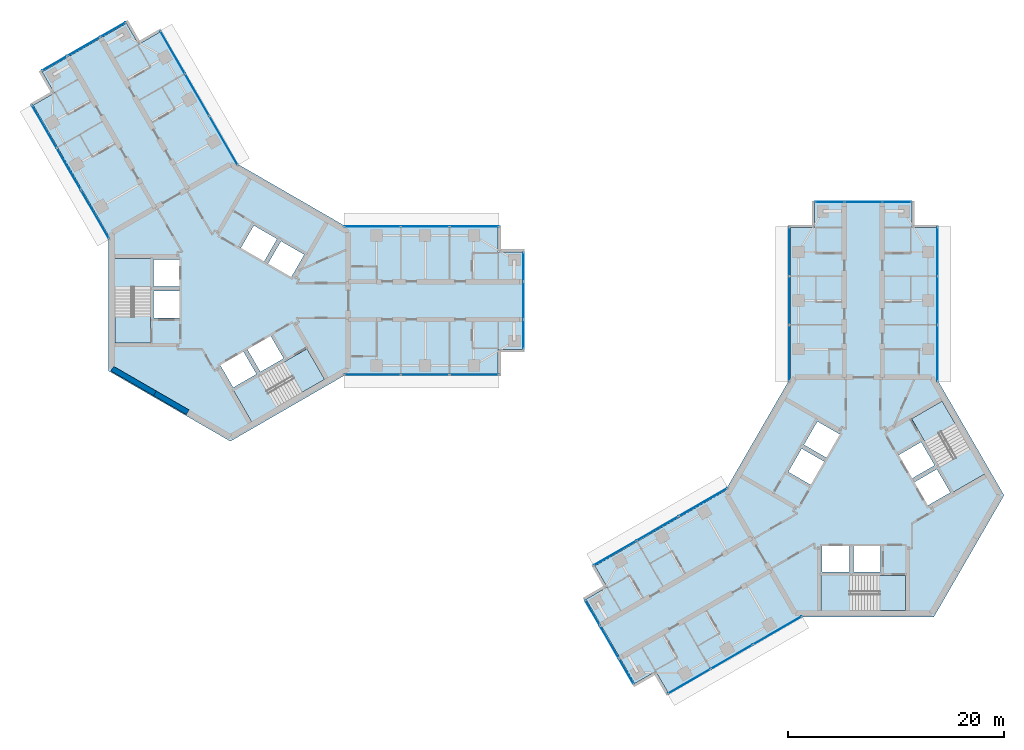
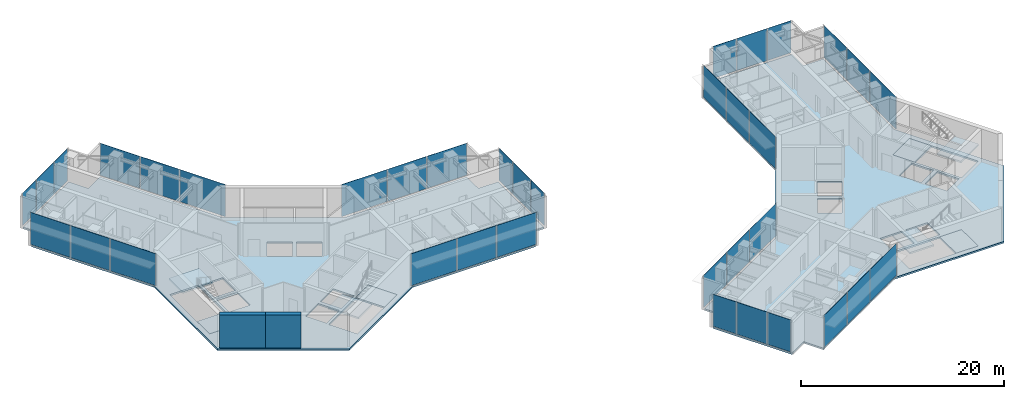
# One storey, part 10 of 18: 36 plates, 10 slabs, 2 walls, 16 elements without a shape of their own.
"""IFC4 building model written with IfcOpenShell, lengths in metres."""

from ifc_helpers import new_model, si_unit, direction, frame, frame_2d, origin, origin_2d, place, context, subcontext, project, spatial, polyline, rectangle, outline, extrude, material, layer, layer_set, type_object, element, aggregate, save


model = new_model("IFC4")

# Units and contexts
model_context = context("Model", 3, precision=1e-05, world=origin(), true_north=direction((0.0, 1.0)))
body_context = subcontext(model_context, "Body", "Model", "MODEL_VIEW")
ifc_project = project(units=[si_unit("LENGTHUNIT", "METRE"), si_unit("AREAUNIT", "SQUARE_METRE"), si_unit("VOLUMEUNIT", "CUBIC_METRE"), si_unit("PLANEANGLEUNIT", "RADIAN"), si_unit("MASSUNIT", "GRAM", prefix="KILO")], contexts=[model_context])

# Site, building, storey
site_placement = place(None, origin())
site = spatial("IfcSite", under=ifc_project, at=site_placement, CompositionType="ELEMENT")
building_placement = place(site_placement, origin())
building = spatial("IfcBuilding", under=site, at=building_placement, Name="Upepo Twin Towers", CompositionType="ELEMENT")
storey_placement = place(building_placement, frame((0.0, 0.0, 222.5)))
storey = spatial("IfcBuildingStorey", under=building, at=storey_placement, Name="L54", CompositionType="ELEMENT", Elevation=222.5)

# Curtain wall, plates
ifc_material_1 = material(Name="Aluminium and fritted glass", Category="aluminium")
curtain_wall_type = type_object("IfcCurtainWallType", Name="Tower curtain wall TW3, fritted glass", PredefinedType="NOTDEFINED", material=ifc_material_1)
curtain_wall_1_placement = place(storey_placement, origin())
curtain_wall_1 = element("IfcCurtainWall", 1, at=curtain_wall_1_placement, inside=storey, type_object=curtain_wall_type, Name="T1 L54 wing A flank L curtain wall", PredefinedType="NOTDEFINED")
ifc_material_2 = material(Name="Ceramic-fritted laminated glass", Category="glass")
ifc_layer_1 = layer(ifc_material_2, 0.031982421875)
ifc_layer_set_1 = layer_set([ifc_layer_1], Name="Fritted glass panel, 60 per cent dot frit, 32 mm double glazed")
plate_type_1 = type_object("IfcPlateType", Name="Fritted glass panel, 60 per cent dot frit, 32 mm double glazed", PredefinedType="CURTAIN_PANEL", material=ifc_layer_set_1)
plate_1_placement = place(storey_placement, frame((13.134765625, 6.85009765625, 0.14990234375), z_axis=(0.0, 0.0, 1.0), x_axis=(1.0, 0.0, 0.0)))
plate_1 = element("IfcPlate", 2, at=plate_1_placement, type_object=plate_type_1, Name="T1 L54 wing A flank L curtain wall panel 1", PredefinedType="CURTAIN_PANEL", context=body_context, shape_type="SweptSolid", body=[
    extrude(rectangle(XDim=5.165283203125, YDim=0.031982421875, at=origin_2d()), origin(), (0.0, 0.0, 1.0), 3.85009765625),
])
plate_2_placement = place(storey_placement, frame((18.0, 6.85009765625, 0.14990234375), z_axis=(0.0, 0.0, 1.0), x_axis=(1.0, 0.0, 0.0)))
plate_2 = element("IfcPlate", 3, at=plate_2_placement, type_object=plate_type_1, Name="T1 L54 wing A flank L curtain wall panel 2", PredefinedType="CURTAIN_PANEL", context=body_context, shape_type="SweptSolid", body=[
    extrude(rectangle(XDim=4.43505859375, YDim=0.031982421875, at=origin_2d()), origin(), (0.0, 0.0, 1.0), 3.85009765625),
])
plate_3_placement = place(storey_placement, frame((22.53369140625, 6.85009765625, 0.14990234375), z_axis=(0.0, 0.0, 1.0), x_axis=(1.0, 0.0, 0.0)))
plate_3 = element("IfcPlate", 4, at=plate_3_placement, type_object=plate_type_1, Name="T1 L54 wing A flank L curtain wall panel 3", PredefinedType="CURTAIN_PANEL", context=body_context, shape_type="SweptSolid", body=[
    extrude(rectangle(XDim=4.50244140625, YDim=0.031982421875, at=origin_2d()), origin(), (0.0, 0.0, 1.0), 3.85009765625),
])
aggregate(curtain_wall_1, [plate_1, plate_2, plate_3])

curtain_wall_2_placement = place(storey_placement, origin())
curtain_wall_2 = element("IfcCurtainWall", 5, at=curtain_wall_2_placement, inside=storey, type_object=curtain_wall_type, Name="T1 L54 wing A flank R curtain wall", PredefinedType="NOTDEFINED")
plate_4_placement = place(storey_placement, frame((22.53369140625, -6.85009765625, 0.14990234375), z_axis=(0.0, 0.0, 1.0), x_axis=(-1.0, 0.0, 0.0)))
plate_4 = element("IfcPlate", 6, at=plate_4_placement, type_object=plate_type_1, Name="T1 L54 wing A flank R curtain wall panel 1", PredefinedType="CURTAIN_PANEL", context=body_context, shape_type="SweptSolid", body=[
    extrude(rectangle(XDim=4.50244140625, YDim=0.031982421875, at=origin_2d()), origin(), (0.0, 0.0, 1.0), 3.85009765625),
])
plate_5_placement = place(storey_placement, frame((18.0, -6.85009765625, 0.14990234375), z_axis=(0.0, 0.0, 1.0), x_axis=(-1.0, 0.0, 0.0)))
plate_5 = element("IfcPlate", 7, at=plate_5_placement, type_object=plate_type_1, Name="T1 L54 wing A flank R curtain wall panel 2", PredefinedType="CURTAIN_PANEL", context=body_context, shape_type="SweptSolid", body=[
    extrude(rectangle(XDim=4.43505859375, YDim=0.031982421875, at=origin_2d()), origin(), (0.0, 0.0, 1.0), 3.85009765625),
])
plate_6_placement = place(storey_placement, frame((13.134765625, -6.85009765625, 0.14990234375), z_axis=(0.0, 0.0, 1.0), x_axis=(-1.0, 0.0, 0.0)))
plate_6 = element("IfcPlate", 8, at=plate_6_placement, type_object=plate_type_1, Name="T1 L54 wing A flank R curtain wall panel 3", PredefinedType="CURTAIN_PANEL", context=body_context, shape_type="SweptSolid", body=[
    extrude(rectangle(XDim=5.165283203125, YDim=0.031982421875, at=origin_2d()), origin(), (0.0, 0.0, 1.0), 3.85009765625),
])
aggregate(curtain_wall_2, [plate_4, plate_5, plate_6])

# Curtain wall, plate
curtain_wall_3_placement = place(storey_placement, origin())
curtain_wall_3 = element("IfcCurtainWall", 9, at=curtain_wall_3_placement, inside=storey, type_object=curtain_wall_type, Name="T1 L54 wing A nose curtain wall", PredefinedType="NOTDEFINED")
plate_7_placement = place(storey_placement, frame((27.10009765625, 0.0, 0.14990234375), z_axis=(0.0, 0.0, 1.0), x_axis=(0.0, 1.0, 0.0)))
plate_7 = element("IfcPlate", 10, at=plate_7_placement, type_object=plate_type_1, Name="T1 L54 wing A nose curtain wall panel 2", PredefinedType="CURTAIN_PANEL", context=body_context, shape_type="SweptSolid", body=[
    extrude(rectangle(XDim=3.43505859375, YDim=0.031982421875, at=origin_2d()), origin(), (0.0, 0.0, 1.0), 3.85009765625),
])

# Curtain wall, plates
curtain_wall_4_placement = place(storey_placement, origin())
curtain_wall_4 = element("IfcCurtainWall", 11, at=curtain_wall_4_placement, inside=storey, type_object=curtain_wall_type, Name="T1 L54 wing B flank L curtain wall", PredefinedType="NOTDEFINED")
plate_8_placement = place(storey_placement, frame((-12.499755859375, 7.9501953125, 0.14990234375), z_axis=(0.0, 0.0, 1.0), x_axis=(-0.500000026527, 0.866025388469, 0.0)))
plate_8 = element("IfcPlate", 12, at=plate_8_placement, type_object=plate_type_1, Name="T1 L54 wing B flank L curtain wall panel 1", PredefinedType="CURTAIN_PANEL", context=body_context, shape_type="SweptSolid", body=[
    extrude(rectangle(XDim=5.165283203125, YDim=0.031982421875, at=origin_2d()), origin(), (0.0, 0.0, 1.0), 3.85009765625),
])
plate_9_placement = place(storey_placement, frame((-14.932373046875, 12.16357421875, 0.14990234375), z_axis=(0.0, 0.0, 1.0), x_axis=(-0.500000026527, 0.866025388469, 0.0)))
plate_9 = element("IfcPlate", 13, at=plate_9_placement, type_object=plate_type_1, Name="T1 L54 wing B flank L curtain wall panel 2", PredefinedType="CURTAIN_PANEL", context=body_context, shape_type="SweptSolid", body=[
    extrude(rectangle(XDim=4.43505859375, YDim=0.031982421875, at=origin_2d()), origin(), (0.0, 0.0, 1.0), 3.85009765625),
])
plate_10_placement = place(storey_placement, frame((-17.19921875, 16.08984375, 0.14990234375), z_axis=(0.0, 0.0, 1.0), x_axis=(-0.500000026527, 0.866025388469, 0.0)))
plate_10 = element("IfcPlate", 14, at=plate_10_placement, type_object=plate_type_1, Name="T1 L54 wing B flank L curtain wall panel 3", PredefinedType="CURTAIN_PANEL", context=body_context, shape_type="SweptSolid", body=[
    extrude(rectangle(XDim=4.50244140625, YDim=0.031982421875, at=origin_2d()), origin(), (0.0, 0.0, 1.0), 3.85009765625),
])
aggregate(curtain_wall_4, [plate_8, plate_9, plate_10])

curtain_wall_5_placement = place(storey_placement, origin())
curtain_wall_5 = element("IfcCurtainWall", 15, at=curtain_wall_5_placement, inside=storey, type_object=curtain_wall_type, Name="T1 L54 wing B flank R curtain wall", PredefinedType="NOTDEFINED")
plate_11_placement = place(storey_placement, frame((-5.334716796875, 22.939697265625, 0.14990234375), z_axis=(0.0, 0.0, 1.0), x_axis=(0.500000026527, -0.866025388469, 0.0)))
plate_11 = element("IfcPlate", 16, at=plate_11_placement, type_object=plate_type_1, Name="T1 L54 wing B flank R curtain wall panel 1", PredefinedType="CURTAIN_PANEL", context=body_context, shape_type="SweptSolid", body=[
    extrude(rectangle(XDim=4.50244140625, YDim=0.031982421875, at=origin_2d()), origin(), (0.0, 0.0, 1.0), 3.85009765625),
])
plate_12_placement = place(storey_placement, frame((-3.067626953125, 19.013427734375, 0.14990234375), z_axis=(0.0, 0.0, 1.0), x_axis=(0.500000026527, -0.866025388469, 0.0)))
plate_12 = element("IfcPlate", 17, at=plate_12_placement, type_object=plate_type_1, Name="T1 L54 wing B flank R curtain wall panel 2", PredefinedType="CURTAIN_PANEL", context=body_context, shape_type="SweptSolid", body=[
    extrude(rectangle(XDim=4.43505859375, YDim=0.031982421875, at=origin_2d()), origin(), (0.0, 0.0, 1.0), 3.85009765625),
])
plate_13_placement = place(storey_placement, frame((-0.635009765625, 14.800048828125, 0.14990234375), z_axis=(0.0, 0.0, 1.0), x_axis=(0.500000026527, -0.866025388469, 0.0)))
plate_13 = element("IfcPlate", 18, at=plate_13_placement, type_object=plate_type_1, Name="T1 L54 wing B flank R curtain wall panel 3", PredefinedType="CURTAIN_PANEL", context=body_context, shape_type="SweptSolid", body=[
    extrude(rectangle(XDim=5.165283203125, YDim=0.031982421875, at=origin_2d()), origin(), (0.0, 0.0, 1.0), 3.85009765625),
])
aggregate(curtain_wall_5, [plate_11, plate_12, plate_13])

# Curtain wall, plate
curtain_wall_6_placement = place(storey_placement, origin())
curtain_wall_6 = element("IfcCurtainWall", 19, at=curtain_wall_6_placement, inside=storey, type_object=curtain_wall_type, Name="T1 L54 wing B nose curtain wall", PredefinedType="NOTDEFINED")
plate_14_placement = place(storey_placement, frame((-13.550048828125, 23.46923828125, 0.14990234375), z_axis=(0.0, 0.0, 1.0), x_axis=(-0.866025386174, -0.500000030502, 0.0)))
plate_14 = element("IfcPlate", 20, at=plate_14_placement, type_object=plate_type_1, Name="T1 L54 wing B nose curtain wall panel 2", PredefinedType="CURTAIN_PANEL", context=body_context, shape_type="SweptSolid", body=[
    extrude(rectangle(XDim=3.43505859375, YDim=0.031982421875, at=origin_2d()), origin(), (0.0, 0.0, 1.0), 3.85009765625),
])

# Curtain wall, plates
curtain_wall_7_placement = place(storey_placement, origin())
curtain_wall_7 = element("IfcCurtainWall", 21, at=curtain_wall_7_placement, inside=storey, type_object=curtain_wall_type, Name="T2 L54 wing A flank L curtain wall", PredefinedType="NOTDEFINED")
plate_15_placement = place(storey_placement, frame((51.64990234375, -4.865234375, 0.14990234375), z_axis=(0.0, 0.0, 1.0), x_axis=(0.0, 1.0, 0.0)))
plate_15 = element("IfcPlate", 22, at=plate_15_placement, type_object=plate_type_1, Name="T2 L54 wing A flank L curtain wall panel 1", PredefinedType="CURTAIN_PANEL", context=body_context, shape_type="SweptSolid", body=[
    extrude(rectangle(XDim=5.165283203125, YDim=0.031982421875, at=origin_2d()), origin(), (0.0, 0.0, 1.0), 3.85009765625),
])
plate_16_placement = place(storey_placement, frame((51.64990234375, 0.0, 0.14990234375), z_axis=(0.0, 0.0, 1.0), x_axis=(0.0, 1.0, 0.0)))
plate_16 = element("IfcPlate", 23, at=plate_16_placement, type_object=plate_type_1, Name="T2 L54 wing A flank L curtain wall panel 2", PredefinedType="CURTAIN_PANEL", context=body_context, shape_type="SweptSolid", body=[
    extrude(rectangle(XDim=4.43505859375, YDim=0.031982421875, at=origin_2d()), origin(), (0.0, 0.0, 1.0), 3.85009765625),
])
plate_17_placement = place(storey_placement, frame((51.64990234375, 4.53369140625, 0.14990234375), z_axis=(0.0, 0.0, 1.0), x_axis=(0.0, 1.0, 0.0)))
plate_17 = element("IfcPlate", 24, at=plate_17_placement, type_object=plate_type_1, Name="T2 L54 wing A flank L curtain wall panel 3", PredefinedType="CURTAIN_PANEL", context=body_context, shape_type="SweptSolid", body=[
    extrude(rectangle(XDim=4.50244140625, YDim=0.031982421875, at=origin_2d()), origin(), (0.0, 0.0, 1.0), 3.85009765625),
])
aggregate(curtain_wall_7, [plate_15, plate_16, plate_17])

curtain_wall_8_placement = place(storey_placement, origin())
curtain_wall_8 = element("IfcCurtainWall", 25, at=curtain_wall_8_placement, inside=storey, type_object=curtain_wall_type, Name="T2 L54 wing A flank R curtain wall", PredefinedType="NOTDEFINED")
plate_18_placement = place(storey_placement, frame((65.35009765625, 4.53369140625, 0.14990234375), z_axis=(0.0, 0.0, 1.0), x_axis=(0.0, -1.0, 0.0)))
plate_18 = element("IfcPlate", 26, at=plate_18_placement, type_object=plate_type_1, Name="T2 L54 wing A flank R curtain wall panel 1", PredefinedType="CURTAIN_PANEL", context=body_context, shape_type="SweptSolid", body=[
    extrude(rectangle(XDim=4.50244140625, YDim=0.031982421875, at=origin_2d()), origin(), (0.0, 0.0, 1.0), 3.85009765625),
])
plate_19_placement = place(storey_placement, frame((65.35009765625, 0.0, 0.14990234375), z_axis=(0.0, 0.0, 1.0), x_axis=(0.0, -1.0, 0.0)))
plate_19 = element("IfcPlate", 27, at=plate_19_placement, type_object=plate_type_1, Name="T2 L54 wing A flank R curtain wall panel 2", PredefinedType="CURTAIN_PANEL", context=body_context, shape_type="SweptSolid", body=[
    extrude(rectangle(XDim=4.43505859375, YDim=0.031982421875, at=origin_2d()), origin(), (0.0, 0.0, 1.0), 3.85009765625),
])
plate_20_placement = place(storey_placement, frame((65.35009765625, -4.865234375, 0.14990234375), z_axis=(0.0, 0.0, 1.0), x_axis=(0.0, -1.0, 0.0)))
plate_20 = element("IfcPlate", 28, at=plate_20_placement, type_object=plate_type_1, Name="T2 L54 wing A flank R curtain wall panel 3", PredefinedType="CURTAIN_PANEL", context=body_context, shape_type="SweptSolid", body=[
    extrude(rectangle(XDim=5.165283203125, YDim=0.031982421875, at=origin_2d()), origin(), (0.0, 0.0, 1.0), 3.85009765625),
])
aggregate(curtain_wall_8, [plate_18, plate_19, plate_20])

# Curtain wall, plate
curtain_wall_9_placement = place(storey_placement, origin())
curtain_wall_9 = element("IfcCurtainWall", 29, at=curtain_wall_9_placement, inside=storey, type_object=curtain_wall_type, Name="T2 L54 wing A nose curtain wall", PredefinedType="NOTDEFINED")
plate_21_placement = place(storey_placement, frame((58.5, 9.10009765625, 0.14990234375), z_axis=(0.0, 0.0, 1.0), x_axis=(-1.0, 0.0, 0.0)))
plate_21 = element("IfcPlate", 30, at=plate_21_placement, type_object=plate_type_1, Name="T2 L54 wing A nose curtain wall panel 2", PredefinedType="CURTAIN_PANEL", context=body_context, shape_type="SweptSolid", body=[
    extrude(rectangle(XDim=3.43505859375, YDim=0.031982421875, at=origin_2d()), origin(), (0.0, 0.0, 1.0), 3.85009765625),
])

# Curtain wall, plates
curtain_wall_10_placement = place(storey_placement, origin())
curtain_wall_10 = element("IfcCurtainWall", 31, at=curtain_wall_10_placement, inside=storey, type_object=curtain_wall_type, Name="T2 L54 wing B flank L curtain wall", PredefinedType="NOTDEFINED")
plate_22_placement = place(storey_placement, frame((50.5498046875, -30.499755859375, 0.14990234375), z_axis=(0.0, 0.0, 1.0), x_axis=(-0.866025388469, -0.500000026527, 0.0)))
plate_22 = element("IfcPlate", 32, at=plate_22_placement, type_object=plate_type_1, Name="T2 L54 wing B flank L curtain wall panel 1", PredefinedType="CURTAIN_PANEL", context=body_context, shape_type="SweptSolid", body=[
    extrude(rectangle(XDim=5.165283203125, YDim=0.031982421875, at=origin_2d()), origin(), (0.0, 0.0, 1.0), 3.85009765625),
])
plate_23_placement = place(storey_placement, frame((46.33642578125, -32.932373046875, 0.14990234375), z_axis=(0.0, 0.0, 1.0), x_axis=(-0.866025388469, -0.500000026527, 0.0)))
plate_23 = element("IfcPlate", 33, at=plate_23_placement, type_object=plate_type_1, Name="T2 L54 wing B flank L curtain wall panel 2", PredefinedType="CURTAIN_PANEL", context=body_context, shape_type="SweptSolid", body=[
    extrude(rectangle(XDim=4.43505859375, YDim=0.031982421875, at=origin_2d()), origin(), (0.0, 0.0, 1.0), 3.85009765625),
])
plate_24_placement = place(storey_placement, frame((42.41015625, -35.19921875, 0.14990234375), z_axis=(0.0, 0.0, 1.0), x_axis=(-0.866025388469, -0.500000026527, 0.0)))
plate_24 = element("IfcPlate", 34, at=plate_24_placement, type_object=plate_type_1, Name="T2 L54 wing B flank L curtain wall panel 3", PredefinedType="CURTAIN_PANEL", context=body_context, shape_type="SweptSolid", body=[
    extrude(rectangle(XDim=4.50244140625, YDim=0.031982421875, at=origin_2d()), origin(), (0.0, 0.0, 1.0), 3.85009765625),
])
aggregate(curtain_wall_10, [plate_22, plate_23, plate_24])

curtain_wall_11_placement = place(storey_placement, origin())
curtain_wall_11 = element("IfcCurtainWall", 35, at=curtain_wall_11_placement, inside=storey, type_object=curtain_wall_type, Name="T2 L54 wing B flank R curtain wall", PredefinedType="NOTDEFINED")
plate_25_placement = place(storey_placement, frame((35.560302734375, -23.334716796875, 0.14990234375), z_axis=(0.0, 0.0, 1.0), x_axis=(0.866025388469, 0.500000026527, 0.0)))
plate_25 = element("IfcPlate", 36, at=plate_25_placement, type_object=plate_type_1, Name="T2 L54 wing B flank R curtain wall panel 1", PredefinedType="CURTAIN_PANEL", context=body_context, shape_type="SweptSolid", body=[
    extrude(rectangle(XDim=4.50244140625, YDim=0.031982421875, at=origin_2d()), origin(), (0.0, 0.0, 1.0), 3.85009765625),
])
plate_26_placement = place(storey_placement, frame((39.486572265625, -21.067626953125, 0.14990234375), z_axis=(0.0, 0.0, 1.0), x_axis=(0.866025388469, 0.500000026527, 0.0)))
plate_26 = element("IfcPlate", 37, at=plate_26_placement, type_object=plate_type_1, Name="T2 L54 wing B flank R curtain wall panel 2", PredefinedType="CURTAIN_PANEL", context=body_context, shape_type="SweptSolid", body=[
    extrude(rectangle(XDim=4.43505859375, YDim=0.031982421875, at=origin_2d()), origin(), (0.0, 0.0, 1.0), 3.85009765625),
])
plate_27_placement = place(storey_placement, frame((43.699951171875, -18.635009765625, 0.14990234375), z_axis=(0.0, 0.0, 1.0), x_axis=(0.866025388469, 0.500000026527, 0.0)))
plate_27 = element("IfcPlate", 38, at=plate_27_placement, type_object=plate_type_1, Name="T2 L54 wing B flank R curtain wall panel 3", PredefinedType="CURTAIN_PANEL", context=body_context, shape_type="SweptSolid", body=[
    extrude(rectangle(XDim=5.165283203125, YDim=0.031982421875, at=origin_2d()), origin(), (0.0, 0.0, 1.0), 3.85009765625),
])
aggregate(curtain_wall_11, [plate_25, plate_26, plate_27])

# Curtain wall, plate
curtain_wall_12_placement = place(storey_placement, origin())
curtain_wall_12 = element("IfcCurtainWall", 39, at=curtain_wall_12_placement, inside=storey, type_object=curtain_wall_type, Name="T2 L54 wing B nose curtain wall", PredefinedType="NOTDEFINED")
plate_28_placement = place(storey_placement, frame((35.03076171875, -31.550048828125, 0.14990234375), z_axis=(0.0, 0.0, 1.0), x_axis=(0.500000030502, -0.866025386174, 0.0)))
plate_28 = element("IfcPlate", 40, at=plate_28_placement, type_object=plate_type_1, Name="T2 L54 wing B nose curtain wall panel 2", PredefinedType="CURTAIN_PANEL", context=body_context, shape_type="SweptSolid", body=[
    extrude(rectangle(XDim=3.43505859375, YDim=0.031982421875, at=origin_2d()), origin(), (0.0, 0.0, 1.0), 3.85009765625),
])

# Plate
ifc_material_3 = material(Name="Clear laminated glass in opening sash", Category="glass")
ifc_layer_2 = layer(ifc_material_3, 0.031982421875)
ifc_layer_set_2 = layer_set([ifc_layer_2], Name="Operable glass panel, 32 mm double glazed")
plate_type_2 = type_object("IfcPlateType", Name="Operable glass panel, 32 mm double glazed", PredefinedType="CURTAIN_PANEL", material=ifc_layer_set_2)
plate_29_placement = place(storey_placement, frame((27.10009765625, -3.108642578125, 0.14990234375), z_axis=(0.0, 0.0, 1.0), x_axis=(0.0, 1.0, 0.0)))
plate_29 = element("IfcPlate", 41, at=plate_29_placement, type_object=plate_type_2, Name="T1 L54 wing A nose curtain wall panel 1", PredefinedType="CURTAIN_PANEL", context=body_context, shape_type="SweptSolid", body=[
    extrude(rectangle(XDim=2.652587890625, YDim=0.031982421875, at=origin_2d()), origin(), (0.0, 0.0, 1.0), 3.85009765625),
])

plate_30_placement = place(storey_placement, frame((27.10009765625, 3.108642578125, 0.14990234375), z_axis=(0.0, 0.0, 1.0), x_axis=(0.0, 1.0, 0.0)))
plate_30 = element("IfcPlate", 42, at=plate_30_placement, type_object=plate_type_2, Name="T1 L54 wing A nose curtain wall panel 3", PredefinedType="CURTAIN_PANEL", context=body_context, shape_type="SweptSolid", body=[
    extrude(rectangle(XDim=2.652587890625, YDim=0.031982421875, at=origin_2d()), origin(), (0.0, 0.0, 1.0), 3.85009765625),
])

aggregate(curtain_wall_3, [plate_29, plate_7, plate_30])

plate_31_placement = place(storey_placement, frame((-10.857666015625, 25.023681640625, 0.14990234375), z_axis=(0.0, 0.0, 1.0), x_axis=(-0.866025386174, -0.500000030502, 0.0)))
plate_31 = element("IfcPlate", 43, at=plate_31_placement, type_object=plate_type_2, Name="T1 L54 wing B nose curtain wall panel 1", PredefinedType="CURTAIN_PANEL", context=body_context, shape_type="SweptSolid", body=[
    extrude(rectangle(XDim=2.652587890625, YDim=0.031982421875, at=origin_2d()), origin(), (0.0, 0.0, 1.0), 3.85009765625),
])

plate_32_placement = place(storey_placement, frame((-16.2421875, 21.914794921875, 0.14990234375), z_axis=(0.0, 0.0, 1.0), x_axis=(-0.866025386174, -0.500000030502, 0.0)))
plate_32 = element("IfcPlate", 44, at=plate_32_placement, type_object=plate_type_2, Name="T1 L54 wing B nose curtain wall panel 3", PredefinedType="CURTAIN_PANEL", context=body_context, shape_type="SweptSolid", body=[
    extrude(rectangle(XDim=2.652587890625, YDim=0.031982421875, at=origin_2d()), origin(), (0.0, 0.0, 1.0), 3.85009765625),
])

aggregate(curtain_wall_6, [plate_31, plate_14, plate_32])

plate_33_placement = place(storey_placement, frame((61.608642578125, 9.10009765625, 0.14990234375), z_axis=(0.0, 0.0, 1.0), x_axis=(-1.0, 0.0, 0.0)))
plate_33 = element("IfcPlate", 45, at=plate_33_placement, type_object=plate_type_2, Name="T2 L54 wing A nose curtain wall panel 1", PredefinedType="CURTAIN_PANEL", context=body_context, shape_type="SweptSolid", body=[
    extrude(rectangle(XDim=2.652587890625, YDim=0.031982421875, at=origin_2d()), origin(), (0.0, 0.0, 1.0), 3.85009765625),
])

plate_34_placement = place(storey_placement, frame((55.391357421875, 9.10009765625, 0.14990234375), z_axis=(0.0, 0.0, 1.0), x_axis=(-1.0, 0.0, 0.0)))
plate_34 = element("IfcPlate", 46, at=plate_34_placement, type_object=plate_type_2, Name="T2 L54 wing A nose curtain wall panel 3", PredefinedType="CURTAIN_PANEL", context=body_context, shape_type="SweptSolid", body=[
    extrude(rectangle(XDim=2.652587890625, YDim=0.031982421875, at=origin_2d()), origin(), (0.0, 0.0, 1.0), 3.85009765625),
])

aggregate(curtain_wall_9, [plate_33, plate_21, plate_34])

plate_35_placement = place(storey_placement, frame((33.476318359375, -28.857666015625, 0.14990234375), z_axis=(0.0, 0.0, 1.0), x_axis=(0.500000030502, -0.866025386174, 0.0)))
plate_35 = element("IfcPlate", 47, at=plate_35_placement, type_object=plate_type_2, Name="T2 L54 wing B nose curtain wall panel 1", PredefinedType="CURTAIN_PANEL", context=body_context, shape_type="SweptSolid", body=[
    extrude(rectangle(XDim=2.652587890625, YDim=0.031982421875, at=origin_2d()), origin(), (0.0, 0.0, 1.0), 3.85009765625),
])

plate_36_placement = place(storey_placement, frame((36.585205078125, -34.2421875, 0.14990234375), z_axis=(0.0, 0.0, 1.0), x_axis=(0.500000030502, -0.866025386174, 0.0)))
plate_36 = element("IfcPlate", 48, at=plate_36_placement, type_object=plate_type_2, Name="T2 L54 wing B nose curtain wall panel 3", PredefinedType="CURTAIN_PANEL", context=body_context, shape_type="SweptSolid", body=[
    extrude(rectangle(XDim=2.652587890625, YDim=0.031982421875, at=origin_2d()), origin(), (0.0, 0.0, 1.0), 3.85009765625),
])

aggregate(curtain_wall_12, [plate_35, plate_28, plate_36])

# Stair, slabs
ifc_material_4 = material(Name="Concrete C40/50", Category="concrete")
stair_type = type_object("IfcStairType", Name="Core stair, two flights", PredefinedType="HALF_TURN_STAIR", material=ifc_material_4)
stair_1_placement = place(storey_placement, origin())
stair_1 = element("IfcStair", 49, at=stair_1_placement, inside=storey, type_object=stair_type, Name="T1 stair S1 L54", PredefinedType="HALF_TURN_STAIR")
ifc_material_5 = material(Name="Concrete C40/50", Category="concrete")
ifc_layer_3 = layer(ifc_material_5, 0.199951171875)
ifc_layer_set_3 = layer_set([ifc_layer_3], Name="Concrete C40/50")
slab_type_1 = type_object("IfcSlabType", Name="Stair landing 200 RC", PredefinedType="LANDING", material=ifc_layer_set_3)
slab_1_placement = place(storey_placement, frame((0.0, 0.0, -0.199951171875)))
slab_1 = element("IfcSlab", 50, at=slab_1_placement, type_object=slab_type_1, Name="Stair S1 landing 1", PredefinedType="LANDING", context=body_context, shape_type="SweptSolid", body=[
    extrude(outline(polyline([(-7.39990234375, -1.419921875), (-10.658447265625, -1.419921875), (-10.658447265625, -3.89990234375), (-7.39990234375, -3.89990234375), (-7.39990234375, -1.419921875)])), origin(), (0.0, 0.0, 1.0), 0.199951171875),
])
slab_2_placement = place(storey_placement, frame((0.0, 0.0, 1.800048828125)))
slab_2 = element("IfcSlab", 51, at=slab_2_placement, type_object=slab_type_1, Name="Stair S1 landing 2", PredefinedType="LANDING", context=body_context, shape_type="SweptSolid", body=[
    extrude(outline(polyline([(-7.300048828125, 3.89990234375), (-10.75830078125, 3.89990234375), (-10.75830078125, 1.179931640625), (-7.300048828125, 1.179931640625), (-7.300048828125, 3.89990234375)])), origin(), (0.0, 0.0, 1.0), 0.199951171875),
])
aggregate(stair_1, [slab_1, slab_2])

stair_2_placement = place(storey_placement, origin())
stair_2 = element("IfcStair", 52, at=stair_2_placement, inside=storey, type_object=stair_type, Name="T1 stair S2 L54", PredefinedType="HALF_TURN_STAIR")
slab_3_placement = place(storey_placement, frame((0.0, 0.0, -0.199951171875)))
slab_3 = element("IfcSlab", 53, at=slab_3_placement, type_object=slab_type_1, Name="Stair S2 landing 1", PredefinedType="LANDING", context=body_context, shape_type="SweptSolid", body=[
    extrude(outline(polyline([(4.9296875, -5.698486328125), (6.558837890625, -8.520263671875), (8.70654296875, -7.2802734375), (7.077392578125, -4.45849609375), (4.9296875, -5.698486328125)])), origin(), (0.0, 0.0, 1.0), 0.199951171875),
])
slab_4_placement = place(storey_placement, frame((0.0, 0.0, 1.800048828125)))
slab_4 = element("IfcSlab", 54, at=slab_4_placement, type_object=slab_type_1, Name="Stair S2 landing 2", PredefinedType="LANDING", context=body_context, shape_type="SweptSolid", body=[
    extrude(outline(polyline([(0.2724609375, -8.27197265625), (2.001708984375, -11.26708984375), (4.357177734375, -9.906982421875), (2.628173828125, -6.911865234375), (0.2724609375, -8.27197265625)])), origin(), (0.0, 0.0, 1.0), 0.199951171875),
])
aggregate(stair_2, [slab_3, slab_4])

stair_3_placement = place(storey_placement, origin())
stair_3 = element("IfcStair", 55, at=stair_3_placement, inside=storey, type_object=stair_type, Name="T2 stair S1 L54", PredefinedType="HALF_TURN_STAIR")
slab_5_placement = place(storey_placement, frame((0.0, 0.0, -0.199951171875)))
slab_5 = element("IfcSlab", 56, at=slab_5_placement, type_object=slab_type_1, Name="Stair S1 landing 1", PredefinedType="LANDING", context=body_context, shape_type="SweptSolid", body=[
    extrude(outline(polyline([(59.919921875, -25.39990234375), (59.919921875, -28.658447265625), (62.39990234375, -28.658447265625), (62.39990234375, -25.39990234375), (59.919921875, -25.39990234375)])), origin(), (0.0, 0.0, 1.0), 0.199951171875),
])
slab_6_placement = place(storey_placement, frame((0.0, 0.0, 1.800048828125)))
slab_6 = element("IfcSlab", 57, at=slab_6_placement, type_object=slab_type_1, Name="Stair S1 landing 2", PredefinedType="LANDING", context=body_context, shape_type="SweptSolid", body=[
    extrude(outline(polyline([(54.60009765625, -25.300048828125), (54.60009765625, -28.75830078125), (57.320068359375, -28.75830078125), (57.320068359375, -25.300048828125), (54.60009765625, -25.300048828125)])), origin(), (0.0, 0.0, 1.0), 0.199951171875),
])
aggregate(stair_3, [slab_5, slab_6])

stair_4_placement = place(storey_placement, origin())
stair_4 = element("IfcStair", 58, at=stair_4_placement, inside=storey, type_object=stair_type, Name="T2 stair S2 L54", PredefinedType="HALF_TURN_STAIR")
slab_7_placement = place(storey_placement, frame((0.0, 0.0, -0.199951171875)))
slab_7 = element("IfcSlab", 59, at=slab_7_placement, type_object=slab_type_1, Name="Stair S2 landing 1", PredefinedType="LANDING", context=body_context, shape_type="SweptSolid", body=[
    extrude(outline(polyline([(64.198486328125, -13.0703125), (67.020263671875, -11.441162109375), (65.7802734375, -9.29345703125), (62.95849609375, -10.922607421875), (64.198486328125, -13.0703125)])), origin(), (0.0, 0.0, 1.0), 0.199951171875),
])
slab_8_placement = place(storey_placement, frame((0.0, 0.0, 1.800048828125)))
slab_8 = element("IfcSlab", 60, at=slab_8_placement, type_object=slab_type_1, Name="Stair S2 landing 2", PredefinedType="LANDING", context=body_context, shape_type="SweptSolid", body=[
    extrude(outline(polyline([(66.77197265625, -17.7275390625), (69.76708984375, -15.998291015625), (68.406982421875, -13.642822265625), (65.411865234375, -15.371826171875), (66.77197265625, -17.7275390625)])), origin(), (0.0, 0.0, 1.0), 0.199951171875),
])
aggregate(stair_4, [slab_7, slab_8])

# Slabs
ifc_material_6 = material(Name="Concrete C40/50", Category="concrete")
ifc_layer_4 = layer(ifc_material_6, 0.199951171875)
ifc_layer_set_4 = layer_set([ifc_layer_4], Name="Concrete C40/50")
slab_type_2 = type_object("IfcSlabType", Name="Tower floor slab 200 RC", PredefinedType="FLOOR", material=ifc_layer_set_4)
slab_9_placement = place(storey_placement, frame((0.0, 0.0, -0.199951171875)))
element("IfcSlab", 61, at=slab_9_placement, inside=storey, type_object=slab_type_2, Name="T1 L54 floor slab", PredefinedType="FLOOR", context=body_context, shape_type="SweptSolid", body=[
    extrude(outline(polyline([(10.825439453125, 6.75), (24.75, 6.75), (24.75, 4.5), (27.0, 4.5), (27.0, -4.5), (24.75, -4.5), (24.75, -6.75), (10.825439453125, -6.75), (0.0, -13.0), (-11.25830078125, -6.5), (-11.25830078125, 6.0), (-18.220703125, 18.05908203125), (-16.272216796875, 19.18408203125), (-17.397216796875, 21.132568359375), (-9.602783203125, 25.632568359375), (-8.477783203125, 23.68408203125), (-6.529296875, 24.80908203125), (0.43310546875, 12.75), (10.825439453125, 6.75)]), holes=[polyline([(5.640869140625, 2.17041015625), (6.8408203125, 4.248779296875), (4.67578125, 5.498779296875), (3.475830078125, 3.42041015625), (5.640869140625, 2.17041015625)]), polyline([(3.12939453125, 3.620361328125), (4.329345703125, 5.69873046875), (2.164306640625, 6.94873046875), (0.96435546875, 4.870361328125), (3.12939453125, 3.620361328125)]), polyline([(-4.699951171875, 3.800048828125), (-7.10009765625, 3.800048828125), (-7.10009765625, 1.300048828125), (-4.699951171875, 1.300048828125), (-4.699951171875, 3.800048828125)]), polyline([(-4.699951171875, 0.89990234375), (-7.10009765625, 0.89990234375), (-7.10009765625, -1.60009765625), (-4.699951171875, -1.60009765625), (-4.699951171875, 0.89990234375)]), polyline([(-7.39990234375, 3.89990234375), (-10.658447265625, 3.89990234375), (-10.658447265625, -3.89990234375), (-7.39990234375, -3.89990234375), (-7.39990234375, 3.89990234375)]), polyline([(-0.94091796875, -5.97021484375), (0.259033203125, -8.048828125), (2.424072265625, -6.798828125), (1.22412109375, -4.72021484375), (-0.94091796875, -5.97021484375)]), polyline([(1.570556640625, -4.520263671875), (2.7705078125, -6.598876953125), (4.935546875, -5.348876953125), (3.735595703125, -3.270263671875), (1.570556640625, -4.520263671875)]), polyline([(0.322509765625, -8.358642578125), (1.95166015625, -11.180419921875), (8.70654296875, -7.2802734375), (7.077392578125, -4.45849609375), (0.322509765625, -8.358642578125)])]), origin(), (0.0, 0.0, 1.0), 0.199951171875),
])
slab_10_placement = place(storey_placement, frame((0.0, 0.0, -0.199951171875)))
element("IfcSlab", 62, at=slab_10_placement, inside=storey, type_object=slab_type_2, Name="T2 L54 floor slab", PredefinedType="FLOOR", context=body_context, shape_type="SweptSolid", body=[
    extrude(outline(polyline([(51.75, -7.174560546875), (51.75, 6.75), (54.0, 6.75), (54.0, 9.0), (63.0, 9.0), (63.0, 6.75), (65.25, 6.75), (65.25, -7.174560546875), (71.5, -18.0), (65.0, -29.25830078125), (52.5, -29.25830078125), (40.44091796875, -36.220703125), (39.31591796875, -34.272216796875), (37.367431640625, -35.397216796875), (32.867431640625, -27.602783203125), (34.81591796875, -26.477783203125), (33.69091796875, -24.529296875), (45.75, -17.56689453125), (51.75, -7.174560546875)]), holes=[polyline([(56.32958984375, -12.359130859375), (54.251220703125, -11.1591796875), (53.001220703125, -13.32421875), (55.07958984375, -14.524169921875), (56.32958984375, -12.359130859375)]), polyline([(54.879638671875, -14.87060546875), (52.80126953125, -13.670654296875), (51.55126953125, -15.835693359375), (53.629638671875, -17.03564453125), (54.879638671875, -14.87060546875)]), polyline([(54.699951171875, -22.699951171875), (54.699951171875, -25.10009765625), (57.199951171875, -25.10009765625), (57.199951171875, -22.699951171875), (54.699951171875, -22.699951171875)]), polyline([(57.60009765625, -22.699951171875), (57.60009765625, -25.10009765625), (60.10009765625, -25.10009765625), (60.10009765625, -22.699951171875), (57.60009765625, -22.699951171875)]), polyline([(54.60009765625, -25.39990234375), (54.60009765625, -28.658447265625), (62.39990234375, -28.658447265625), (62.39990234375, -25.39990234375), (54.60009765625, -25.39990234375)]), polyline([(64.47021484375, -18.94091796875), (66.548828125, -17.740966796875), (65.298828125, -15.575927734375), (63.22021484375, -16.77587890625), (64.47021484375, -18.94091796875)]), polyline([(63.020263671875, -16.429443359375), (65.098876953125, -15.2294921875), (63.848876953125, -13.064453125), (61.770263671875, -14.264404296875), (63.020263671875, -16.429443359375)]), polyline([(66.858642578125, -17.677490234375), (69.680419921875, -16.04833984375), (65.7802734375, -9.29345703125), (62.95849609375, -10.922607421875), (66.858642578125, -17.677490234375)])]), origin(), (0.0, 0.0, 1.0), 0.199951171875),
])

# Walls
ifc_material_7 = material(Name="Concrete C60/75", Category="concrete")
ifc_layer_5 = layer(ifc_material_7, 0.5)
ifc_layer_set_5 = layer_set([ifc_layer_5], Name="Concrete C60/75")
wall_type = type_object("IfcWallType", Name="Core wall 500 RC", PredefinedType="SHEAR", material=ifc_layer_set_5)
wall_1_placement = place(storey_placement, frame((-10.908447265625, -6.2978515625, 0.0), z_axis=(0.0, 0.0, 1.0), x_axis=(0.866034513004, -0.499984222037, 0.0)))
element("IfcWall", 63, at=wall_1_placement, inside=storey, type_object=wall_type, Name="T1 core wall 240 R", PredefinedType="SHEAR", context=body_context, shape_type="SweptSolid", body=[
    extrude(rectangle(XDim=4.548095703125, YDim=0.5, at=frame_2d((2.27392578125, 0.0))), origin(), (0.0, 0.0, 1.0), 4.0),
])
wall_2_placement = place(storey_placement, frame((-6.9697265625, -8.57177734375, 0.0), z_axis=(0.0, 0.0, 1.0), x_axis=(0.866019471182, -0.500010275428, 0.0)))
element("IfcWall", 64, at=wall_2_placement, inside=storey, type_object=wall_type, Name="T1 core wall 240", PredefinedType="SHEAR", context=body_context, shape_type="SweptSolid", body=[
    extrude(rectangle(XDim=3.5, YDim=0.5, at=frame_2d((1.75, 0.0))), origin(), (0.0, 0.0, 1.0), 4.0),
])

save(model, "model.ifc")
